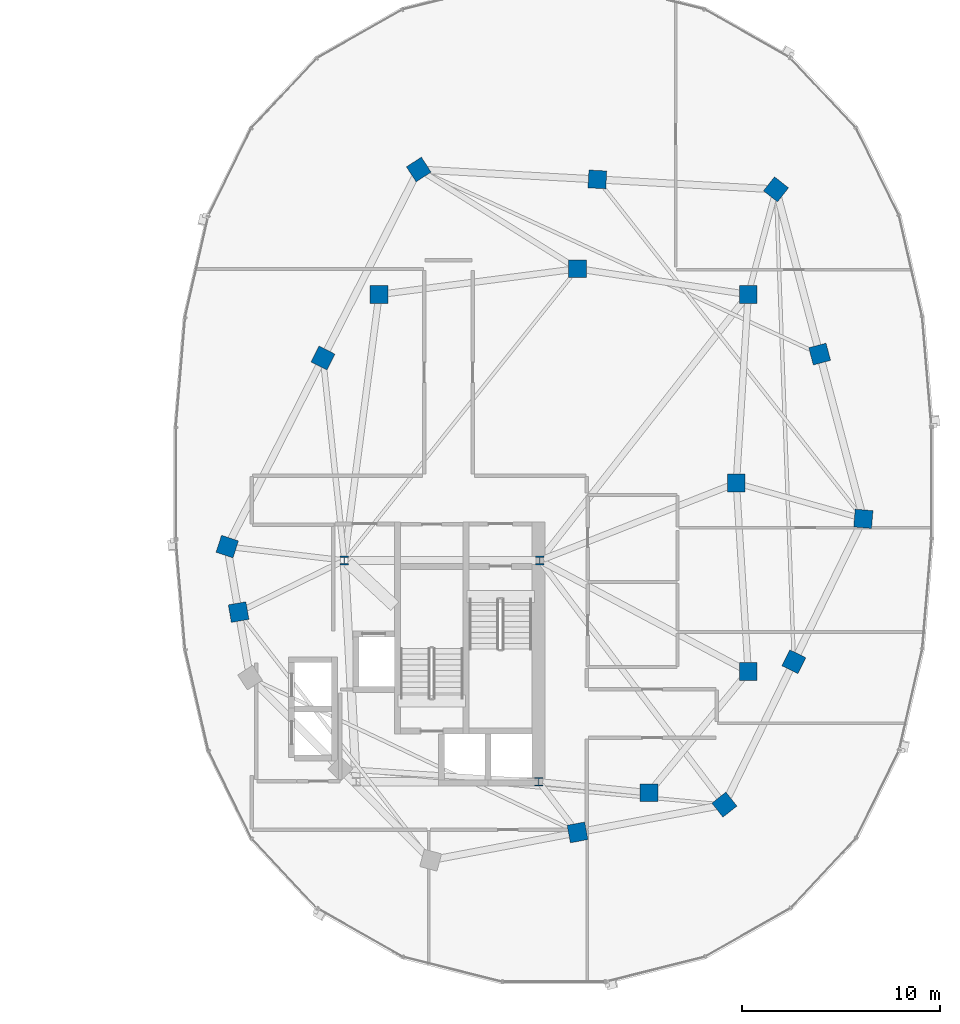
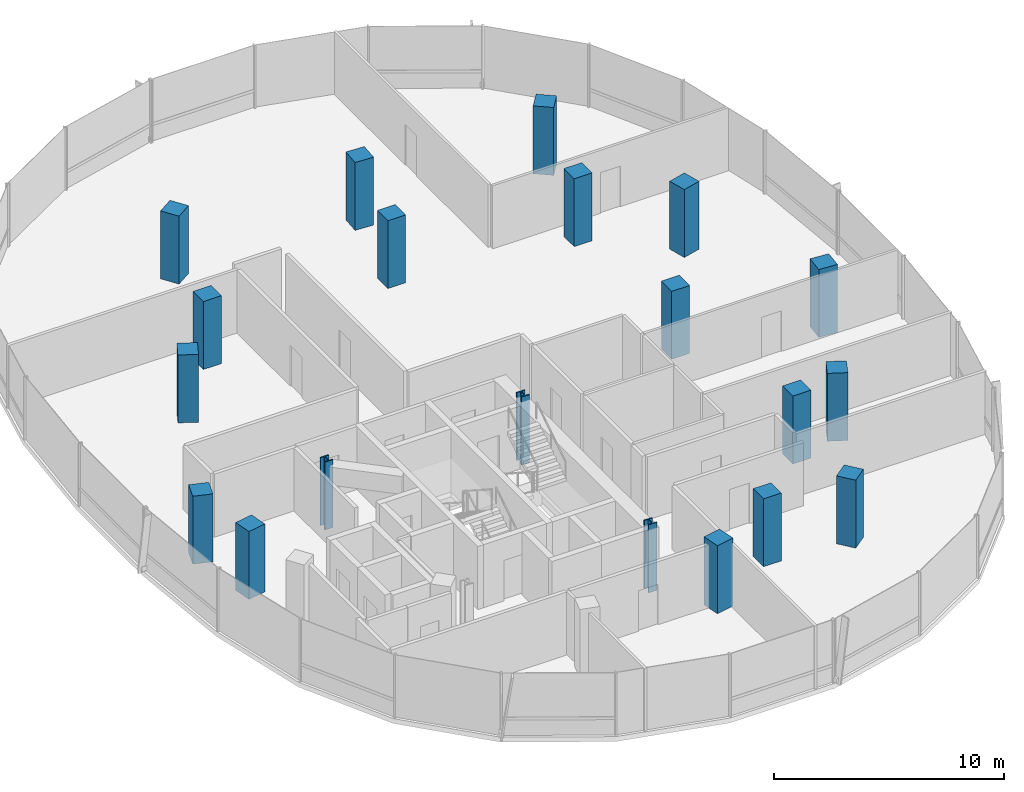
# One storey, part 2 of 25: 20 columns.
"""IFC4 building model written with IfcOpenShell, lengths in metres."""

import ifcopenshell
import ifcopenshell.guid

model = None  # the IFC model being written
_history = None  # IfcOwnerHistory: only IFC2X3 demands one
_inside = {}  # id of a spatial element -> (the spatial element, [elements in it])
_under = {}  # id of a project, library or spatial element -> (it, [spatial elements below it])
_declared = {}  # id of a project -> (the project, [libraries it declares])
_typed = {}  # id of a type object -> (the type object, [elements of that type])
_made_of = {}  # id of a material, layer set ... -> (it, [elements and type objects made of it])


def new_model(schema):
    """Start an empty IFC model of exactly this schema.

    Asked for "IFC4X3", IfcOpenShell would pick the latest addendum, in which some entities
    have other attributes; the version numbers below select the first issue.
    IFC2X3 requires an IfcOwnerHistory on every rooted entity: one is made here for all.
    """
    global model, _history
    if schema == "IFC4X3":
        model = ifcopenshell.file(schema_version=(4, 3, 0, 0))
    else:
        model = ifcopenshell.file(schema=schema)
    _inside.clear()
    _under.clear()
    _declared.clear()
    _typed.clear()
    _made_of.clear()
    _history = None
    if model.schema == "IFC2X3":
        org = make("IfcOrganization", Name="unknown")
        user = make(
            "IfcPersonAndOrganization",
            ThePerson=make("IfcPerson", FamilyName="unknown"),
            TheOrganization=org,
        )
        app = make(
            "IfcApplication",
            ApplicationDeveloper=org,
            Version="unknown",
            ApplicationFullName="unknown",
            ApplicationIdentifier="unknown",
        )
        _history = make(
            "IfcOwnerHistory",
            OwningUser=user,
            OwningApplication=app,
            ChangeAction="ADDED",
            CreationDate=0,
        )
    return model


def make(cls, **values):
    """One entity of the class cls with the attributes given. An attribute that is None is left unset."""
    return model.create_entity(
        cls, **{name: value for name, value in values.items() if value is not None}
    )


def rooted(cls, **values):
    """An entity with a GlobalId (a new one), such as an element, a storey or a relation."""
    return make(cls, GlobalId=ifcopenshell.guid.new(), OwnerHistory=_history, **values)


def si_unit(unit_type, name, prefix=None):
    """IfcSIUnit, for example si_unit("LENGTHUNIT", "METRE", prefix="MILLI")."""
    return make("IfcSIUnit", UnitType=unit_type, Prefix=prefix, Name=name)


def assignment(units):
    """IfcUnitAssignment: the units of a project."""
    return None if units is None else make("IfcUnitAssignment", Units=units)


def point(xyz):
    """IfcCartesianPoint."""
    return None if xyz is None else make("IfcCartesianPoint", Coordinates=xyz)


def direction(xyz):
    """IfcDirection."""
    return None if xyz is None else make("IfcDirection", DirectionRatios=xyz)


def frame(location, z_axis=None, x_axis=None):
    """IfcAxis2Placement3D, a coordinate frame: its origin and axes. An axis left out is left unset."""
    return make(
        "IfcAxis2Placement3D",
        Location=point(location),
        Axis=direction(z_axis),
        RefDirection=direction(x_axis),
    )


def frame_2d(location, x_axis=None):
    """IfcAxis2Placement2D, a coordinate frame in the plane: its origin and x axis."""
    return make(
        "IfcAxis2Placement2D", Location=point(location), RefDirection=direction(x_axis)
    )


def origin():
    """The frame at (0, 0, 0) with its axes left unset."""
    return frame((0.0, 0.0, 0.0))


def origin_2d():
    """The frame at (0, 0) in the plane with its x axis left unset."""
    return frame_2d((0.0, 0.0))


def place(relative_to, where):
    """IfcLocalPlacement: puts the frame where relative to a parent placement (None: the world)."""
    return make(
        "IfcLocalPlacement", PlacementRelTo=relative_to, RelativePlacement=where
    )


def context(
    kind, dimensions, precision=None, world=None, true_north=None, identifier=None
):
    """IfcGeometricRepresentationContext, for example the 3D "Model" context."""
    return make(
        "IfcGeometricRepresentationContext",
        ContextIdentifier=identifier,
        ContextType=kind,
        CoordinateSpaceDimension=dimensions,
        Precision=precision,
        WorldCoordinateSystem=world,
        TrueNorth=true_north,
    )


def subcontext(parent, identifier, kind, view, scale=None):
    """IfcGeometricRepresentationSubContext, for example "Body" below "Model"."""
    return make(
        "IfcGeometricRepresentationSubContext",
        ContextIdentifier=identifier,
        ContextType=kind,
        ParentContext=parent,
        TargetScale=scale,
        TargetView=view,
    )


def project(units=None, contexts=None):
    """IfcProject with its units and contexts."""
    return rooted(
        "IfcProject",
        Name="project",
        RepresentationContexts=contexts,
        UnitsInContext=assignment(units),
    )


def spatial(cls, under=None, at=None, **own):
    """A site, building, storey or space (cls), placed at a placement, below another one or the project."""
    s = rooted(cls, ObjectPlacement=at, **own)
    if under is not None:
        _under.setdefault(under.id(), (under, []))[1].append(s)
    return s


def profile(cls, at=None, kind="AREA", **sizes):
    """A parametric profile (cls). Its sizes go by their IFC names, for example OverallWidth=200.0."""
    return make(cls, ProfileType=kind, Position=at, **sizes)


def rectangle(**sizes):
    """IfcRectangleProfileDef."""
    return profile("IfcRectangleProfileDef", **sizes)


def i_section(**sizes):
    """IfcIShapeProfileDef."""
    return profile("IfcIShapeProfileDef", **sizes)


def extrude(swept, where, along, depth):
    """IfcExtrudedAreaSolid: the profile swept, set in the frame where, extruded along a direction by depth."""
    return make(
        "IfcExtrudedAreaSolid",
        SweptArea=swept,
        Position=where,
        ExtrudedDirection=direction(along),
        Depth=depth,
    )


def shape(context_of_items, identifier, shape_type, items):
    """IfcShapeRepresentation: the items that make up one representation, for example the "Body"."""
    return make(
        "IfcShapeRepresentation",
        ContextOfItems=context_of_items,
        RepresentationIdentifier=identifier,
        RepresentationType=shape_type,
        Items=items,
    )


def material(Name=None, Category=None):
    """IfcMaterial."""
    return make("IfcMaterial", Name=Name, Category=Category)


def material_profile(
    of_material, cross_section, Name=None, Category=None, Priority=None
):
    """IfcMaterialProfile: a cross section and its material."""
    return make(
        "IfcMaterialProfile",
        Name=Name,
        Material=of_material,
        Profile=cross_section,
        Priority=Priority,
        Category=Category,
    )


def profile_set(profiles, Name=None, composite=None):
    """IfcMaterialProfileSet."""
    return make(
        "IfcMaterialProfileSet",
        Name=Name,
        MaterialProfiles=profiles,
        CompositeProfile=composite,
    )


def made_of(thing, what):
    """Note that an element or type object is made of a material, layer set ...; save() writes the relation."""
    if what is not None:
        _made_of.setdefault(what.id(), (what, []))[1].append(thing)
    return thing


def type_object(cls, material=None, **own):
    """A type object (cls), such as IfcWallType, which elements share."""
    return made_of(rooted(cls, **own), material)


def element(
    cls,
    number,
    at=None,
    inside=None,
    cuts=None,
    type_object=None,
    material=None,
    context=None,
    identifier="Body",
    shape_type=None,
    held_by="IfcProductDefinitionShape",
    body=None,
    shapes=None,
    **own,
):
    """One element of the class cls, such as IfcWall. Its Tag is "e" and its number.

    at: its placement. inside: the storey or other place that contains it. cuts: it is an
    opening in that element (IfcRelVoidsElement). A single representation is given by context,
    identifier, shape_type and body (its items); several are given by shapes. held_by: the class
    of the entity that holds the representations. save() writes the other relations.
    """
    e = rooted(cls, Tag="e%d" % number, ObjectPlacement=at, **own)
    if body is not None:
        shapes = [shape(context, identifier, shape_type, body)]
    if shapes is not None:
        e.Representation = make(held_by, Representations=shapes)
    if inside is not None:
        _inside.setdefault(inside.id(), (inside, []))[1].append(e)
    if cuts is not None:
        rooted(
            "IfcRelVoidsElement", RelatingBuildingElement=cuts, RelatedOpeningElement=e
        )
    if type_object is not None:
        _typed.setdefault(type_object.id(), (type_object, []))[1].append(e)
    return made_of(e, material)


def aggregate(whole, parts):
    """IfcRelAggregates: a whole, such as a stair, and the parts it consists of."""
    return rooted("IfcRelAggregates", RelatingObject=whole, RelatedObjects=parts)


def save(model, path):
    """Write the relations noted so far, then the file.

    IfcRelAggregates (storeys below a building ...), IfcRelContainedInSpatialStructure (elements
    in a storey), IfcRelDefinesByType, IfcRelAssociatesMaterial and IfcRelDeclares: one each for
    every whole, place, type object, material and project.
    """
    for whole, parts in _under.values():
        aggregate(whole, parts)
    for where, things in _inside.values():
        rooted(
            "IfcRelContainedInSpatialStructure",
            RelatedElements=things,
            RelatingStructure=where,
        )
    for kind, things in _typed.values():
        rooted("IfcRelDefinesByType", RelatedObjects=things, RelatingType=kind)
    for what, things in _made_of.values():
        rooted("IfcRelAssociatesMaterial", RelatedObjects=things, RelatingMaterial=what)
    for by, libraries in _declared.values():
        rooted("IfcRelDeclares", RelatingContext=by, RelatedDefinitions=libraries)
    model.write(path)


model = new_model("IFC4")

# Units and contexts
model_context = context("Model", 3, precision=1e-05, world=origin(), true_north=direction((0.0, 1.0)))
body_context = subcontext(model_context, "Body", "Model", "MODEL_VIEW")
ifc_project = project(units=[si_unit("LENGTHUNIT", "METRE"), si_unit("AREAUNIT", "SQUARE_METRE"), si_unit("VOLUMEUNIT", "CUBIC_METRE"), si_unit("PLANEANGLEUNIT", "RADIAN"), si_unit("MASSUNIT", "GRAM", prefix="KILO"), si_unit("THERMODYNAMICTEMPERATUREUNIT", "KELVIN"), si_unit("POWERUNIT", "WATT")], contexts=[model_context])

# Site, building, storey
site_placement = place(None, origin())
site = spatial("IfcSite", under=ifc_project, at=site_placement, CompositionType="ELEMENT")
building_placement = place(site_placement, origin())
building = spatial("IfcBuilding", under=site, at=building_placement, Name="Cundina Bronze Exchange", CompositionType="ELEMENT")
storey_placement = place(building_placement, frame((0.0, 0.0, 213.39990234375)))
storey = spatial("IfcBuildingStorey", under=building, at=storey_placement, Name="L56", CompositionType="ELEMENT", Elevation=213.39990234375)

# Columns
ifc_material_1 = material(Name="Steel ASTM A992 Grade 50", Category="steel")
ifc_material_profile_1 = material_profile(ifc_material_1, i_section(OverallWidth=0.416015625, OverallDepth=0.446044921875, WebThickness=0.0390625, FlangeThickness=0.062744140625, FilletRadius=0.01806640625, at=origin_2d()), Name="W14X342", Category="steel")
ifc_profile_set_1 = profile_set([ifc_material_profile_1], Name="Steel ASTM A992 Grade 50")
column_type_1 = type_object("IfcColumnType", Name="COL-STL-W14B", PredefinedType="COLUMN", material=ifc_profile_set_1)
for number, where, z_axis, x_axis, name in (
    (1, (31.300048828125, -3.89990234375, 0.0), (0.0, 0.0, 1.0), (1.0, 0.0, 0.0), "L56 Core Anchor Column E1"),
    (2, (21.449951171875, -3.89990234375, 0.0), (0.0, 0.0, 1.0), (1.0, 0.0, 0.0), "L56 Core Anchor Column E2"),
    (3, (31.25, -15.050048828125, 0.0), (0.0, 0.0, 1.0), (1.0, 0.0, 0.0), "L56 Core Anchor Column E4"),
):
    element("IfcColumn", number, at=place(storey_placement, frame(where, z_axis=z_axis, x_axis=x_axis)), inside=storey, type_object=column_type_1, Name=name, PredefinedType="COLUMN", context=body_context, shape_type="SweptSolid", body=[
        extrude(i_section(OverallWidth=0.416015625, OverallDepth=0.446044921875, WebThickness=0.0390625, FlangeThickness=0.062744140625, FilletRadius=0.01806640625, at=origin_2d()), origin(), (0.0, 0.0, 1.0), 3.60009765625),
    ])
ifc_material_2 = material(Name="Concrete C50/60", Category="concrete")
ifc_material_profile_2 = material_profile(ifc_material_2, rectangle(XDim=0.89990234375, YDim=0.89990234375, at=origin_2d()), Name="RC900X900", Category="concrete")
ifc_profile_set_2 = profile_set([ifc_material_profile_2], Name="Concrete C50/60")
column_type_2 = type_object("IfcColumnType", Name="COL-Z4-900", PredefinedType="COLUMN", material=ifc_profile_set_2)
for number, where, z_axis, x_axis, name in (
    (4, (41.199951171875, 0.0, 0.0), (0.0, 0.0, 1.0), (1.0, 0.0, 0.0), "L56 E Inner Ring Column 1"),
    (5, (41.800048828125, -9.5, 0.0), (0.0, 0.0, 1.0), (1.0, 0.0, 0.0), "L56 E Inner Ring Column 2"),
    (6, (36.800048828125, -15.60009765625, 0.0), (0.0, 0.0, 1.0), (1.0, 0.0, 0.0), "L56 E Inner Ring Column 3"),
    (7, (41.800048828125, 9.5, 0.0), (0.0, 0.0, 1.0), (1.0, 0.0, 0.0), "L56 E Inner Ring Column 4"),
    (8, (33.199951171875, 10.800048828125, 0.0), (0.0, 0.0, 1.0), (1.0, 0.0, 0.0), "L56 E Inner Ring Column 5"),
    (9, (23.199951171875, 9.5, 0.0), (0.0, 0.0, 1.0), (1.0, 0.0, 0.0), "L56 E Inner Ring Column 6"),
    (10, (15.550048828125, -3.199951171875, 0.0), (0.0, 0.0, 1.0), (-0.315152163383, -0.949041155016, 0.0), "L56 E Perimeter Column 00"),
    (11, (16.125, -6.5, 0.0), (0.0, 0.0, 1.0), (0.171585221787, -0.985169280715, 0.0), "L56 E Perimeter Column 01"),
    (12, (33.199951171875, -17.60009765625, 0.0), (0.0, 0.0, 1.0), (0.98258037664, 0.185838110843, 0.0), "L56 E Perimeter Column 05"),
    (13, (40.60009765625, -16.199951171875, 0.0), (0.0, 0.0, 1.0), (0.785100778485, 0.619368038909, 0.0), "L56 E Perimeter Column 06"),
    (14, (44.10009765625, -9.0, 0.0), (0.0, 0.0, 1.0), (0.437115766651, 0.899405251566, 0.0), "L56 E Perimeter Column 07"),
    (15, (47.60009765625, -1.800048828125, 0.0), (0.0, 0.0, 1.0), (0.083503921245, 0.996507448611, 0.0), "L56 E Perimeter Column 08"),
    (16, (45.39990234375, 6.5, 0.0), (0.0, 0.0, 1.0), (-0.256289373133, 0.966600102017, 0.0), "L56 E Perimeter Column 09"),
    (17, (43.199951171875, 14.800048828125, 0.0), (0.0, 0.0, 1.0), (-0.786288432137, 0.61785961309, 0.0), "L56 E Perimeter Column 10"),
    (18, (34.199951171875, 15.300048828125, 0.0), (0.0, 0.0, 1.0), (-0.998460188734, 0.055472980025, 0.0), "L56 E Perimeter Column 11"),
    (19, (25.199951171875, 15.800048828125, 0.0), (0.0, 0.0, 1.0), (-0.838099763533, -0.545516989988, 0.0), "L56 E Perimeter Column 12"),
    (20, (20.375, 6.300048828125, 0.0), (0.0, 0.0, 1.0), (-0.452901591366, -0.891560513111, 0.0), "L56 E Perimeter Column 13"),
):
    element("IfcColumn", number, at=place(storey_placement, frame(where, z_axis=z_axis, x_axis=x_axis)), inside=storey, type_object=column_type_2, Name=name, PredefinedType="COLUMN", context=body_context, shape_type="SweptSolid", body=[
        extrude(rectangle(XDim=0.89990234375, YDim=0.89990234375, at=origin_2d()), origin(), (0.0, 0.0, 1.0), 3.60009765625),
    ])

save(model, "model.ifc")
